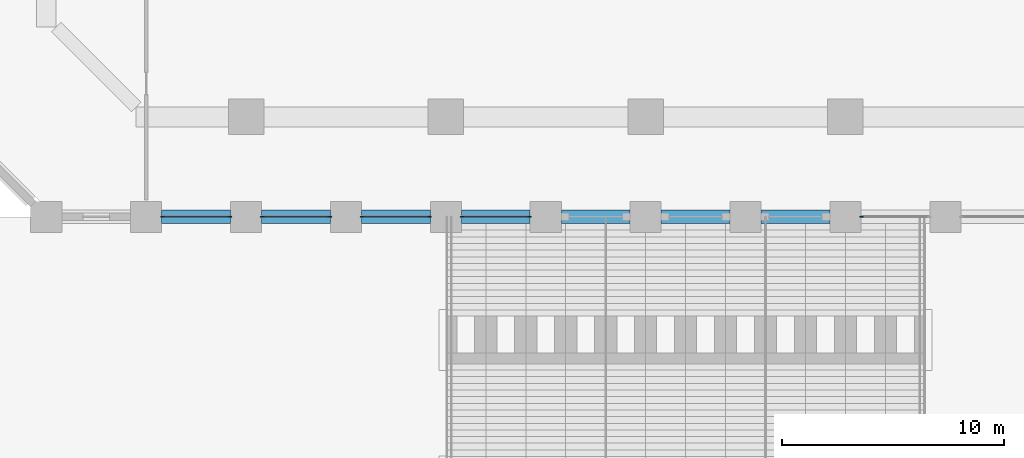
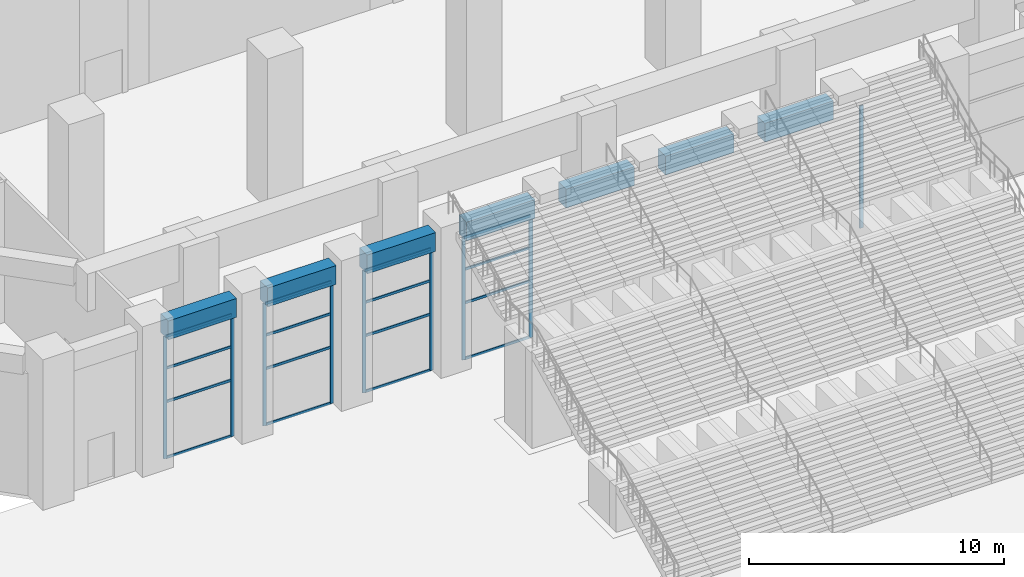
# One storey, part 3 of 30: 25 members, 7 beams, 5 elements without a shape of their own.
"""IFC4 building model written with IfcOpenShell, lengths in metres."""

import ifcopenshell
import ifcopenshell.guid

model = None  # the IFC model being written
_history = None  # IfcOwnerHistory: only IFC2X3 demands one
_inside = {}  # id of a spatial element -> (the spatial element, [elements in it])
_under = {}  # id of a project, library or spatial element -> (it, [spatial elements below it])
_declared = {}  # id of a project -> (the project, [libraries it declares])
_typed = {}  # id of a type object -> (the type object, [elements of that type])
_made_of = {}  # id of a material, layer set ... -> (it, [elements and type objects made of it])


def new_model(schema):
    """Start an empty IFC model of exactly this schema.

    Asked for "IFC4X3", IfcOpenShell would pick the latest addendum, in which some entities
    have other attributes; the version numbers below select the first issue.
    IFC2X3 requires an IfcOwnerHistory on every rooted entity: one is made here for all.
    """
    global model, _history
    if schema == "IFC4X3":
        model = ifcopenshell.file(schema_version=(4, 3, 0, 0))
    else:
        model = ifcopenshell.file(schema=schema)
    _inside.clear()
    _under.clear()
    _declared.clear()
    _typed.clear()
    _made_of.clear()
    _history = None
    if model.schema == "IFC2X3":
        org = make("IfcOrganization", Name="unknown")
        user = make(
            "IfcPersonAndOrganization",
            ThePerson=make("IfcPerson", FamilyName="unknown"),
            TheOrganization=org,
        )
        app = make(
            "IfcApplication",
            ApplicationDeveloper=org,
            Version="unknown",
            ApplicationFullName="unknown",
            ApplicationIdentifier="unknown",
        )
        _history = make(
            "IfcOwnerHistory",
            OwningUser=user,
            OwningApplication=app,
            ChangeAction="ADDED",
            CreationDate=0,
        )
    return model


def make(cls, **values):
    """One entity of the class cls with the attributes given. An attribute that is None is left unset."""
    return model.create_entity(
        cls, **{name: value for name, value in values.items() if value is not None}
    )


def rooted(cls, **values):
    """An entity with a GlobalId (a new one), such as an element, a storey or a relation."""
    return make(cls, GlobalId=ifcopenshell.guid.new(), OwnerHistory=_history, **values)


def si_unit(unit_type, name, prefix=None):
    """IfcSIUnit, for example si_unit("LENGTHUNIT", "METRE", prefix="MILLI")."""
    return make("IfcSIUnit", UnitType=unit_type, Prefix=prefix, Name=name)


def assignment(units):
    """IfcUnitAssignment: the units of a project."""
    return None if units is None else make("IfcUnitAssignment", Units=units)


def point(xyz):
    """IfcCartesianPoint."""
    return None if xyz is None else make("IfcCartesianPoint", Coordinates=xyz)


def direction(xyz):
    """IfcDirection."""
    return None if xyz is None else make("IfcDirection", DirectionRatios=xyz)


def frame(location, z_axis=None, x_axis=None):
    """IfcAxis2Placement3D, a coordinate frame: its origin and axes. An axis left out is left unset."""
    return make(
        "IfcAxis2Placement3D",
        Location=point(location),
        Axis=direction(z_axis),
        RefDirection=direction(x_axis),
    )


def frame_2d(location, x_axis=None):
    """IfcAxis2Placement2D, a coordinate frame in the plane: its origin and x axis."""
    return make(
        "IfcAxis2Placement2D", Location=point(location), RefDirection=direction(x_axis)
    )


def origin():
    """The frame at (0, 0, 0) with its axes left unset."""
    return frame((0.0, 0.0, 0.0))


def origin_2d():
    """The frame at (0, 0) in the plane with its x axis left unset."""
    return frame_2d((0.0, 0.0))


def place(relative_to, where):
    """IfcLocalPlacement: puts the frame where relative to a parent placement (None: the world)."""
    return make(
        "IfcLocalPlacement", PlacementRelTo=relative_to, RelativePlacement=where
    )


def context(
    kind, dimensions, precision=None, world=None, true_north=None, identifier=None
):
    """IfcGeometricRepresentationContext, for example the 3D "Model" context."""
    return make(
        "IfcGeometricRepresentationContext",
        ContextIdentifier=identifier,
        ContextType=kind,
        CoordinateSpaceDimension=dimensions,
        Precision=precision,
        WorldCoordinateSystem=world,
        TrueNorth=true_north,
    )


def subcontext(parent, identifier, kind, view, scale=None):
    """IfcGeometricRepresentationSubContext, for example "Body" below "Model"."""
    return make(
        "IfcGeometricRepresentationSubContext",
        ContextIdentifier=identifier,
        ContextType=kind,
        ParentContext=parent,
        TargetScale=scale,
        TargetView=view,
    )


def project(units=None, contexts=None):
    """IfcProject with its units and contexts."""
    return rooted(
        "IfcProject",
        Name="project",
        RepresentationContexts=contexts,
        UnitsInContext=assignment(units),
    )


def spatial(cls, under=None, at=None, **own):
    """A site, building, storey or space (cls), placed at a placement, below another one or the project."""
    s = rooted(cls, ObjectPlacement=at, **own)
    if under is not None:
        _under.setdefault(under.id(), (under, []))[1].append(s)
    return s


def profile(cls, at=None, kind="AREA", **sizes):
    """A parametric profile (cls). Its sizes go by their IFC names, for example OverallWidth=200.0."""
    return make(cls, ProfileType=kind, Position=at, **sizes)


def rectangle(**sizes):
    """IfcRectangleProfileDef."""
    return profile("IfcRectangleProfileDef", **sizes)


def extrude(swept, where, along, depth):
    """IfcExtrudedAreaSolid: the profile swept, set in the frame where, extruded along a direction by depth."""
    return make(
        "IfcExtrudedAreaSolid",
        SweptArea=swept,
        Position=where,
        ExtrudedDirection=direction(along),
        Depth=depth,
    )


def shape(context_of_items, identifier, shape_type, items):
    """IfcShapeRepresentation: the items that make up one representation, for example the "Body"."""
    return make(
        "IfcShapeRepresentation",
        ContextOfItems=context_of_items,
        RepresentationIdentifier=identifier,
        RepresentationType=shape_type,
        Items=items,
    )


def material(Name=None, Category=None):
    """IfcMaterial."""
    return make("IfcMaterial", Name=Name, Category=Category)


def material_profile(
    of_material, cross_section, Name=None, Category=None, Priority=None
):
    """IfcMaterialProfile: a cross section and its material."""
    return make(
        "IfcMaterialProfile",
        Name=Name,
        Material=of_material,
        Profile=cross_section,
        Priority=Priority,
        Category=Category,
    )


def profile_set(profiles, Name=None, composite=None):
    """IfcMaterialProfileSet."""
    return make(
        "IfcMaterialProfileSet",
        Name=Name,
        MaterialProfiles=profiles,
        CompositeProfile=composite,
    )


def made_of(thing, what):
    """Note that an element or type object is made of a material, layer set ...; save() writes the relation."""
    if what is not None:
        _made_of.setdefault(what.id(), (what, []))[1].append(thing)
    return thing


def type_object(cls, material=None, **own):
    """A type object (cls), such as IfcWallType, which elements share."""
    return made_of(rooted(cls, **own), material)


def element(
    cls,
    number,
    at=None,
    inside=None,
    cuts=None,
    type_object=None,
    material=None,
    context=None,
    identifier="Body",
    shape_type=None,
    held_by="IfcProductDefinitionShape",
    body=None,
    shapes=None,
    **own,
):
    """One element of the class cls, such as IfcWall. Its Tag is "e" and its number.

    at: its placement. inside: the storey or other place that contains it. cuts: it is an
    opening in that element (IfcRelVoidsElement). A single representation is given by context,
    identifier, shape_type and body (its items); several are given by shapes. held_by: the class
    of the entity that holds the representations. save() writes the other relations.
    """
    e = rooted(cls, Tag="e%d" % number, ObjectPlacement=at, **own)
    if body is not None:
        shapes = [shape(context, identifier, shape_type, body)]
    if shapes is not None:
        e.Representation = make(held_by, Representations=shapes)
    if inside is not None:
        _inside.setdefault(inside.id(), (inside, []))[1].append(e)
    if cuts is not None:
        rooted(
            "IfcRelVoidsElement", RelatingBuildingElement=cuts, RelatedOpeningElement=e
        )
    if type_object is not None:
        _typed.setdefault(type_object.id(), (type_object, []))[1].append(e)
    return made_of(e, material)


def aggregate(whole, parts):
    """IfcRelAggregates: a whole, such as a stair, and the parts it consists of."""
    return rooted("IfcRelAggregates", RelatingObject=whole, RelatedObjects=parts)


def save(model, path):
    """Write the relations noted so far, then the file.

    IfcRelAggregates (storeys below a building ...), IfcRelContainedInSpatialStructure (elements
    in a storey), IfcRelDefinesByType, IfcRelAssociatesMaterial and IfcRelDeclares: one each for
    every whole, place, type object, material and project.
    """
    for whole, parts in _under.values():
        aggregate(whole, parts)
    for where, things in _inside.values():
        rooted(
            "IfcRelContainedInSpatialStructure",
            RelatedElements=things,
            RelatingStructure=where,
        )
    for kind, things in _typed.values():
        rooted("IfcRelDefinesByType", RelatedObjects=things, RelatingType=kind)
    for what, things in _made_of.values():
        rooted("IfcRelAssociatesMaterial", RelatedObjects=things, RelatingMaterial=what)
    for by, libraries in _declared.values():
        rooted("IfcRelDeclares", RelatingContext=by, RelatedDefinitions=libraries)
    model.write(path)


model = new_model("IFC4")

# Units and contexts
model_context = context("Model", 3, precision=1e-05, world=origin(), true_north=direction((0.0, 1.0)))
body_context = subcontext(model_context, "Body", "Model", "MODEL_VIEW")
ifc_project = project(units=[si_unit("LENGTHUNIT", "METRE"), si_unit("AREAUNIT", "SQUARE_METRE"), si_unit("VOLUMEUNIT", "CUBIC_METRE"), si_unit("PLANEANGLEUNIT", "RADIAN"), si_unit("MASSUNIT", "GRAM", prefix="KILO")], contexts=[model_context])

# Site, building, storey
site_placement = place(None, origin())
site = spatial("IfcSite", under=ifc_project, at=site_placement, CompositionType="ELEMENT")
building_placement = place(site_placement, origin())
building = spatial("IfcBuilding", under=site, at=building_placement, Name="Corbel Stack Research Tower", CompositionType="ELEMENT")
storey_placement = place(building_placement, origin())
storey = spatial("IfcBuildingStorey", under=building, at=storey_placement, Name="L00", CompositionType="ELEMENT", Elevation=0.0)

# Curtain wall, members
ifc_material_1 = material(Name="Aluminium frame, clear glass", Category="aluminium")
curtain_wall_type = type_object("IfcCurtainWallType", Name="Storefront curtain wall CW1", PredefinedType="NOTDEFINED", material=ifc_material_1)
curtain_wall_1_placement = place(storey_placement, origin())
curtain_wall_1 = element("IfcCurtainWall", 1, at=curtain_wall_1_placement, inside=storey, type_object=curtain_wall_type, Name="Storefront curtain wall CW1 S02", PredefinedType="NOTDEFINED")
ifc_material_2 = material(Name="Aluminium mullion", Category="aluminium")
ifc_material_profile_1 = material_profile(ifc_material_2, rectangle(XDim=0.06005859375, YDim=0.159912109375, at=origin_2d()), Name="Mullion 60 x 160")
ifc_profile_set_1 = profile_set([ifc_material_profile_1], Name="Aluminium mullion")
member_type_1 = type_object("IfcMemberType", Name="Curtain wall mullion 60 x 160", PredefinedType="MULLION", material=ifc_profile_set_1)
member_1_placement = place(storey_placement, frame((-21.77001953125, -31.5, 0.0), z_axis=(0.0, 0.0, 1.0), x_axis=(0.0, 1.0, 0.0)))
member_1 = element("IfcMember", 2, at=member_1_placement, type_object=member_type_1, Name="CW1 S02 mullion 1", PredefinedType="MULLION", context=body_context, shape_type="SweptSolid", body=[
    extrude(rectangle(XDim=0.06005859375, YDim=0.159912109375, at=origin_2d()), origin(), (0.0, 0.0, 1.0), 5.85009765625),
])
member_2_placement = place(storey_placement, frame((-18.72998046875, -31.5, 0.0), z_axis=(0.0, 0.0, 1.0), x_axis=(0.0, 1.0, 0.0)))
member_2 = element("IfcMember", 3, at=member_2_placement, type_object=member_type_1, Name="CW1 S02 mullion 2", PredefinedType="MULLION", context=body_context, shape_type="SweptSolid", body=[
    extrude(rectangle(XDim=0.06005859375, YDim=0.159912109375, at=origin_2d()), origin(), (0.0, 0.0, 1.0), 5.85009765625),
])

curtain_wall_2_placement = place(storey_placement, origin())
curtain_wall_2 = element("IfcCurtainWall", 4, at=curtain_wall_2_placement, inside=storey, type_object=curtain_wall_type, Name="Storefront curtain wall CW1 S03", PredefinedType="NOTDEFINED")
member_3_placement = place(storey_placement, frame((-17.27001953125, -31.5, 0.0), z_axis=(0.0, 0.0, 1.0), x_axis=(0.0, 1.0, 0.0)))
member_3 = element("IfcMember", 5, at=member_3_placement, type_object=member_type_1, Name="CW1 S03 mullion 1", PredefinedType="MULLION", context=body_context, shape_type="SweptSolid", body=[
    extrude(rectangle(XDim=0.06005859375, YDim=0.159912109375, at=origin_2d()), origin(), (0.0, 0.0, 1.0), 5.85009765625),
])
member_4_placement = place(storey_placement, frame((-14.22998046875, -31.5, 0.0), z_axis=(0.0, 0.0, 1.0), x_axis=(0.0, 1.0, 0.0)))
member_4 = element("IfcMember", 6, at=member_4_placement, type_object=member_type_1, Name="CW1 S03 mullion 2", PredefinedType="MULLION", context=body_context, shape_type="SweptSolid", body=[
    extrude(rectangle(XDim=0.06005859375, YDim=0.159912109375, at=origin_2d()), origin(), (0.0, 0.0, 1.0), 5.85009765625),
])

curtain_wall_3_placement = place(storey_placement, origin())
curtain_wall_3 = element("IfcCurtainWall", 7, at=curtain_wall_3_placement, inside=storey, type_object=curtain_wall_type, Name="Storefront curtain wall CW1 S04", PredefinedType="NOTDEFINED")
member_5_placement = place(storey_placement, frame((-12.77001953125, -31.5, 0.0), z_axis=(0.0, 0.0, 1.0), x_axis=(0.0, 1.0, 0.0)))
member_5 = element("IfcMember", 8, at=member_5_placement, type_object=member_type_1, Name="CW1 S04 mullion 1", PredefinedType="MULLION", context=body_context, shape_type="SweptSolid", body=[
    extrude(rectangle(XDim=0.06005859375, YDim=0.159912109375, at=origin_2d()), origin(), (0.0, 0.0, 1.0), 5.85009765625),
])
member_6_placement = place(storey_placement, frame((-9.72998046875, -31.5, 0.0), z_axis=(0.0, 0.0, 1.0), x_axis=(0.0, 1.0, 0.0)))
member_6 = element("IfcMember", 9, at=member_6_placement, type_object=member_type_1, Name="CW1 S04 mullion 2", PredefinedType="MULLION", context=body_context, shape_type="SweptSolid", body=[
    extrude(rectangle(XDim=0.06005859375, YDim=0.159912109375, at=origin_2d()), origin(), (0.0, 0.0, 1.0), 5.85009765625),
])

curtain_wall_4_placement = place(storey_placement, origin())
curtain_wall_4 = element("IfcCurtainWall", 10, at=curtain_wall_4_placement, inside=storey, type_object=curtain_wall_type, Name="Storefront curtain wall CW1 S05", PredefinedType="NOTDEFINED")
member_7_placement = place(storey_placement, frame((-8.27001953125, -31.5, 0.0), z_axis=(0.0, 0.0, 1.0), x_axis=(0.0, 1.0, 0.0)))
member_7 = element("IfcMember", 11, at=member_7_placement, type_object=member_type_1, Name="CW1 S05 mullion 1", PredefinedType="MULLION", context=body_context, shape_type="SweptSolid", body=[
    extrude(rectangle(XDim=0.06005859375, YDim=0.159912109375, at=origin_2d()), origin(), (0.0, 0.0, 1.0), 5.85009765625),
])
member_8_placement = place(storey_placement, frame((-5.22998046875, -31.5, 0.0), z_axis=(0.0, 0.0, 1.0), x_axis=(0.0, 1.0, 0.0)))
member_8 = element("IfcMember", 12, at=member_8_placement, type_object=member_type_1, Name="CW1 S05 mullion 2", PredefinedType="MULLION", context=body_context, shape_type="SweptSolid", body=[
    extrude(rectangle(XDim=0.06005859375, YDim=0.159912109375, at=origin_2d()), origin(), (0.0, 0.0, 1.0), 5.85009765625),
])

# Curtain wall, member
curtain_wall_5_placement = place(storey_placement, origin())
curtain_wall_5 = element("IfcCurtainWall", 13, at=curtain_wall_5_placement, inside=storey, type_object=curtain_wall_type, Name="Storefront curtain wall CW1 S09", PredefinedType="NOTDEFINED")
member_9_placement = place(storey_placement, frame((9.72998046875, -31.5, 0.0), z_axis=(0.0, 0.0, 1.0), x_axis=(0.0, 1.0, 0.0)))
member_9 = element("IfcMember", 14, at=member_9_placement, type_object=member_type_1, Name="CW1 S09 mullion 1", PredefinedType="MULLION", context=body_context, shape_type="SweptSolid", body=[
    extrude(rectangle(XDim=0.06005859375, YDim=0.159912109375, at=origin_2d()), origin(), (0.0, 0.0, 1.0), 5.85009765625),
])
aggregate(curtain_wall_5, [member_9])

# Member
ifc_material_3 = material(Name="Aluminium transom", Category="aluminium")
ifc_material_profile_2 = material_profile(ifc_material_3, rectangle(XDim=0.06005859375, YDim=0.1201171875, at=origin_2d()), Name="Transom 60 x 120")
ifc_profile_set_2 = profile_set([ifc_material_profile_2], Name="Aluminium transom")
member_type_2 = type_object("IfcMemberType", Name="Curtain wall transom 60 x 120", PredefinedType="USERDEFINED", material=ifc_profile_set_2)
member_10_placement = place(storey_placement, frame((-21.739990234375, -31.5, 0.030029296875), z_axis=(1.0, 0.0, 0.0), x_axis=(0.0, 1.0, 0.0)))
member_10 = element("IfcMember", 15, at=member_10_placement, type_object=member_type_2, Name="CW1 S02 transom 1.1", ObjectType="TRANSOM", PredefinedType="USERDEFINED", context=body_context, shape_type="SweptSolid", body=[
    extrude(rectangle(XDim=0.06005859375, YDim=0.1201171875, at=origin_2d()), origin(), (0.0, 0.0, 1.0), 2.97998046875),
])

member_11_placement = place(storey_placement, frame((-21.739990234375, -31.5, 2.699951171875), z_axis=(1.0, 0.0, 0.0), x_axis=(0.0, 1.0, 0.0)))
member_11 = element("IfcMember", 16, at=member_11_placement, type_object=member_type_2, Name="CW1 S02 transom 1.2", ObjectType="TRANSOM", PredefinedType="USERDEFINED", context=body_context, shape_type="SweptSolid", body=[
    extrude(rectangle(XDim=0.06005859375, YDim=0.1201171875, at=origin_2d()), origin(), (0.0, 0.0, 1.0), 2.97998046875),
])

member_12_placement = place(storey_placement, frame((-21.739990234375, -31.5, 4.300048828125), z_axis=(1.0, 0.0, 0.0), x_axis=(0.0, 1.0, 0.0)))
member_12 = element("IfcMember", 17, at=member_12_placement, type_object=member_type_2, Name="CW1 S02 transom 1.3", ObjectType="TRANSOM", PredefinedType="USERDEFINED", context=body_context, shape_type="SweptSolid", body=[
    extrude(rectangle(XDim=0.06005859375, YDim=0.1201171875, at=origin_2d()), origin(), (0.0, 0.0, 1.0), 2.97998046875),
])

member_13_placement = place(storey_placement, frame((-21.739990234375, -31.5, 5.820068359375), z_axis=(1.0, 0.0, 0.0), x_axis=(0.0, 1.0, 0.0)))
member_13 = element("IfcMember", 18, at=member_13_placement, type_object=member_type_2, Name="CW1 S02 transom 1.4", ObjectType="TRANSOM", PredefinedType="USERDEFINED", context=body_context, shape_type="SweptSolid", body=[
    extrude(rectangle(XDim=0.06005859375, YDim=0.1201171875, at=origin_2d()), origin(), (0.0, 0.0, 1.0), 2.97998046875),
])

aggregate(curtain_wall_1, [member_1, member_2, member_10, member_11, member_12, member_13])

member_14_placement = place(storey_placement, frame((-17.239990234375, -31.5, 0.030029296875), z_axis=(1.0, 0.0, 0.0), x_axis=(0.0, 1.0, 0.0)))
member_14 = element("IfcMember", 19, at=member_14_placement, type_object=member_type_2, Name="CW1 S03 transom 1.1", ObjectType="TRANSOM", PredefinedType="USERDEFINED", context=body_context, shape_type="SweptSolid", body=[
    extrude(rectangle(XDim=0.06005859375, YDim=0.1201171875, at=origin_2d()), origin(), (0.0, 0.0, 1.0), 2.97998046875),
])

member_15_placement = place(storey_placement, frame((-17.239990234375, -31.5, 2.699951171875), z_axis=(1.0, 0.0, 0.0), x_axis=(0.0, 1.0, 0.0)))
member_15 = element("IfcMember", 20, at=member_15_placement, type_object=member_type_2, Name="CW1 S03 transom 1.2", ObjectType="TRANSOM", PredefinedType="USERDEFINED", context=body_context, shape_type="SweptSolid", body=[
    extrude(rectangle(XDim=0.06005859375, YDim=0.1201171875, at=origin_2d()), origin(), (0.0, 0.0, 1.0), 2.97998046875),
])

member_16_placement = place(storey_placement, frame((-17.239990234375, -31.5, 4.300048828125), z_axis=(1.0, 0.0, 0.0), x_axis=(0.0, 1.0, 0.0)))
member_16 = element("IfcMember", 21, at=member_16_placement, type_object=member_type_2, Name="CW1 S03 transom 1.3", ObjectType="TRANSOM", PredefinedType="USERDEFINED", context=body_context, shape_type="SweptSolid", body=[
    extrude(rectangle(XDim=0.06005859375, YDim=0.1201171875, at=origin_2d()), origin(), (0.0, 0.0, 1.0), 2.97998046875),
])

member_17_placement = place(storey_placement, frame((-17.239990234375, -31.5, 5.820068359375), z_axis=(1.0, 0.0, 0.0), x_axis=(0.0, 1.0, 0.0)))
member_17 = element("IfcMember", 22, at=member_17_placement, type_object=member_type_2, Name="CW1 S03 transom 1.4", ObjectType="TRANSOM", PredefinedType="USERDEFINED", context=body_context, shape_type="SweptSolid", body=[
    extrude(rectangle(XDim=0.06005859375, YDim=0.1201171875, at=origin_2d()), origin(), (0.0, 0.0, 1.0), 2.97998046875),
])

aggregate(curtain_wall_2, [member_3, member_4, member_14, member_15, member_16, member_17])

member_18_placement = place(storey_placement, frame((-12.739990234375, -31.5, 0.030029296875), z_axis=(1.0, 0.0, 0.0), x_axis=(0.0, 1.0, 0.0)))
member_18 = element("IfcMember", 23, at=member_18_placement, type_object=member_type_2, Name="CW1 S04 transom 1.1", ObjectType="TRANSOM", PredefinedType="USERDEFINED", context=body_context, shape_type="SweptSolid", body=[
    extrude(rectangle(XDim=0.06005859375, YDim=0.1201171875, at=origin_2d()), origin(), (0.0, 0.0, 1.0), 2.97998046875),
])

member_19_placement = place(storey_placement, frame((-12.739990234375, -31.5, 2.699951171875), z_axis=(1.0, 0.0, 0.0), x_axis=(0.0, 1.0, 0.0)))
member_19 = element("IfcMember", 24, at=member_19_placement, type_object=member_type_2, Name="CW1 S04 transom 1.2", ObjectType="TRANSOM", PredefinedType="USERDEFINED", context=body_context, shape_type="SweptSolid", body=[
    extrude(rectangle(XDim=0.06005859375, YDim=0.1201171875, at=origin_2d()), origin(), (0.0, 0.0, 1.0), 2.97998046875),
])

member_20_placement = place(storey_placement, frame((-12.739990234375, -31.5, 4.300048828125), z_axis=(1.0, 0.0, 0.0), x_axis=(0.0, 1.0, 0.0)))
member_20 = element("IfcMember", 25, at=member_20_placement, type_object=member_type_2, Name="CW1 S04 transom 1.3", ObjectType="TRANSOM", PredefinedType="USERDEFINED", context=body_context, shape_type="SweptSolid", body=[
    extrude(rectangle(XDim=0.06005859375, YDim=0.1201171875, at=origin_2d()), origin(), (0.0, 0.0, 1.0), 2.97998046875),
])

member_21_placement = place(storey_placement, frame((-12.739990234375, -31.5, 5.820068359375), z_axis=(1.0, 0.0, 0.0), x_axis=(0.0, 1.0, 0.0)))
member_21 = element("IfcMember", 26, at=member_21_placement, type_object=member_type_2, Name="CW1 S04 transom 1.4", ObjectType="TRANSOM", PredefinedType="USERDEFINED", context=body_context, shape_type="SweptSolid", body=[
    extrude(rectangle(XDim=0.06005859375, YDim=0.1201171875, at=origin_2d()), origin(), (0.0, 0.0, 1.0), 2.97998046875),
])

aggregate(curtain_wall_3, [member_5, member_6, member_18, member_19, member_20, member_21])

member_22_placement = place(storey_placement, frame((-8.239990234375, -31.5, 0.030029296875), z_axis=(1.0, 0.0, 0.0), x_axis=(0.0, 1.0, 0.0)))
member_22 = element("IfcMember", 27, at=member_22_placement, type_object=member_type_2, Name="CW1 S05 transom 1.1", ObjectType="TRANSOM", PredefinedType="USERDEFINED", context=body_context, shape_type="SweptSolid", body=[
    extrude(rectangle(XDim=0.06005859375, YDim=0.1201171875, at=origin_2d()), origin(), (0.0, 0.0, 1.0), 2.97998046875),
])

member_23_placement = place(storey_placement, frame((-8.239990234375, -31.5, 2.699951171875), z_axis=(1.0, 0.0, 0.0), x_axis=(0.0, 1.0, 0.0)))
member_23 = element("IfcMember", 28, at=member_23_placement, type_object=member_type_2, Name="CW1 S05 transom 1.2", ObjectType="TRANSOM", PredefinedType="USERDEFINED", context=body_context, shape_type="SweptSolid", body=[
    extrude(rectangle(XDim=0.06005859375, YDim=0.1201171875, at=origin_2d()), origin(), (0.0, 0.0, 1.0), 2.97998046875),
])

member_24_placement = place(storey_placement, frame((-8.239990234375, -31.5, 4.300048828125), z_axis=(1.0, 0.0, 0.0), x_axis=(0.0, 1.0, 0.0)))
member_24 = element("IfcMember", 29, at=member_24_placement, type_object=member_type_2, Name="CW1 S05 transom 1.3", ObjectType="TRANSOM", PredefinedType="USERDEFINED", context=body_context, shape_type="SweptSolid", body=[
    extrude(rectangle(XDim=0.06005859375, YDim=0.1201171875, at=origin_2d()), origin(), (0.0, 0.0, 1.0), 2.97998046875),
])

member_25_placement = place(storey_placement, frame((-8.239990234375, -31.5, 5.820068359375), z_axis=(1.0, 0.0, 0.0), x_axis=(0.0, 1.0, 0.0)))
member_25 = element("IfcMember", 30, at=member_25_placement, type_object=member_type_2, Name="CW1 S05 transom 1.4", ObjectType="TRANSOM", PredefinedType="USERDEFINED", context=body_context, shape_type="SweptSolid", body=[
    extrude(rectangle(XDim=0.06005859375, YDim=0.1201171875, at=origin_2d()), origin(), (0.0, 0.0, 1.0), 2.97998046875),
])

aggregate(curtain_wall_4, [member_7, member_8, member_22, member_23, member_24, member_25])

# Beams
ifc_material_4 = material(Name="Concrete C60/75", Category="concrete")
ifc_material_profile_3 = material_profile(ifc_material_4, rectangle(XDim=0.60009765625, YDim=0.89990234375, at=origin_2d()), Name="RC 600 x 900")
ifc_profile_set_3 = profile_set([ifc_material_profile_3], Name="Concrete C60/75")
beam_type = type_object("IfcBeamType", Name="SB-600-900-450", PredefinedType="SPANDREL", material=ifc_profile_set_3)
for number, where, z_axis, x_axis, name in (
    (31, (-21.800048828125, -31.5, 6.300048828125), (1.0, 0.0, 0.0), (0.0, 1.0, 0.0), "Spandrel beam L00-02"),
    (32, (-17.300048828125, -31.5, 6.300048828125), (1.0, 0.0, 0.0), (0.0, 1.0, 0.0), "Spandrel beam L00-03"),
    (33, (-12.800048828125, -31.5, 6.300048828125), (1.0, 0.0, 0.0), (0.0, 1.0, 0.0), "Spandrel beam L00-04"),
    (34, (-8.300048828125, -31.5, 6.300048828125), (1.0, 0.0, 0.0), (0.0, 1.0, 0.0), "Spandrel beam L00-05"),
    (35, (-3.800048828125, -31.5, 6.300048828125), (1.0, 0.0, 0.0), (0.0, 1.0, 0.0), "Spandrel beam L00-06"),
    (36, (0.699951171875, -31.5, 6.300048828125), (1.0, 0.0, 0.0), (0.0, 1.0, 0.0), "Spandrel beam L00-07"),
    (37, (5.199951171875, -31.5, 6.300048828125), (1.0, 0.0, 0.0), (0.0, 1.0, 0.0), "Spandrel beam L00-08"),
):
    element("IfcBeam", number, at=place(storey_placement, frame(where, z_axis=z_axis, x_axis=x_axis)), inside=storey, type_object=beam_type, Name=name, PredefinedType="SPANDREL", context=body_context, shape_type="SweptSolid", body=[
        extrude(rectangle(XDim=0.60009765625, YDim=0.89990234375, at=origin_2d()), origin(), (0.0, 0.0, 1.0), 3.10009765625),
    ])

save(model, "model.ifc")
